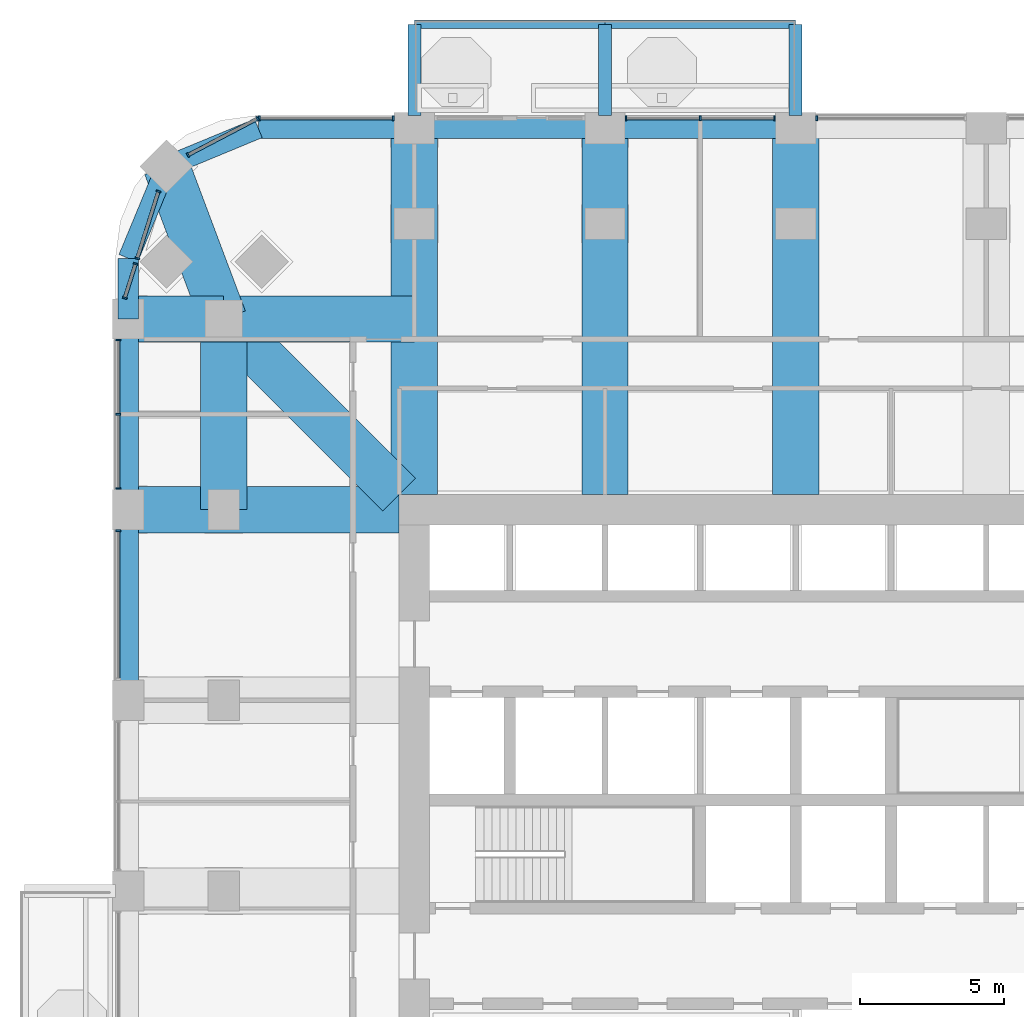
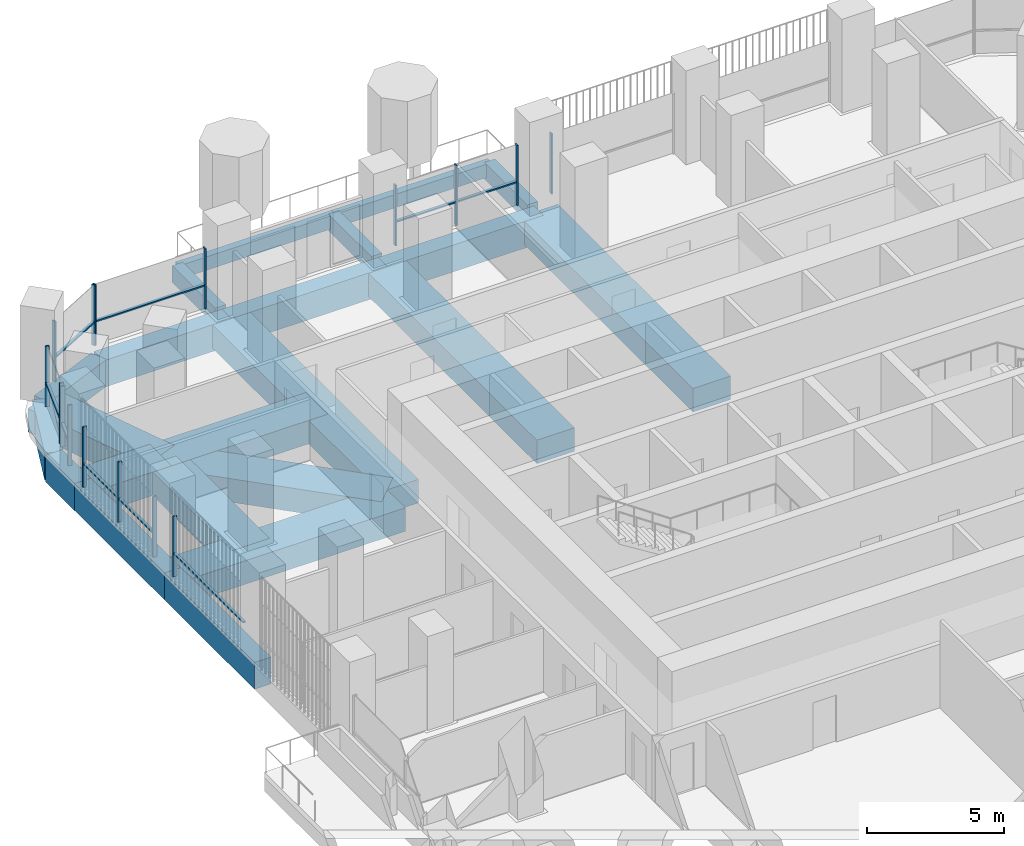
# One storey, part 6 of 21: 25 members, 22 beams, 8 elements without a shape of their own.
"""IFC4 building model written with IfcOpenShell, lengths in metres."""

from ifc_helpers import new_model, si_unit, direction, frame, origin, origin_2d, place, context, subcontext, project, spatial, rectangle, extrude, material, material_profile, profile_set, type_object, element, aggregate, save


model = new_model("IFC4")

# Units and contexts
model_context = context("Model", 3, precision=1e-05, world=origin(), true_north=direction((0.0, 1.0)))
body_context = subcontext(model_context, "Body", "Model", "MODEL_VIEW")
ifc_project = project(units=[si_unit("LENGTHUNIT", "METRE"), si_unit("AREAUNIT", "SQUARE_METRE"), si_unit("VOLUMEUNIT", "CUBIC_METRE"), si_unit("PLANEANGLEUNIT", "RADIAN"), si_unit("MASSUNIT", "GRAM", prefix="KILO")], contexts=[model_context])

# Site, building, storey
site_placement = place(None, origin())
site = spatial("IfcSite", under=ifc_project, at=site_placement, CompositionType="ELEMENT")
building_placement = place(site_placement, origin())
building = spatial("IfcBuilding", under=site, at=building_placement, Name="Cobogo Forest Laboratory Tower", CompositionType="ELEMENT")
storey_placement = place(building_placement, frame((0.0, 0.0, 132.60009765625)))
storey = spatial("IfcBuildingStorey", under=building, at=storey_placement, Name="L30", CompositionType="ELEMENT", Elevation=132.60009765625)

# Beams
ifc_material_1 = material(Name="Concrete HA-40 (C40/50)", Category="concrete")
ifc_material_profile_1 = material_profile(ifc_material_1, rectangle(XDim=0.449951171875, YDim=0.75, at=origin_2d()), Name="RC 450x750")
ifc_profile_set_1 = profile_set([ifc_material_profile_1], Name="Concrete HA-40 (C40/50)")
beam_type_1 = type_object("IfcBeamType", Name="Balcony cantilever beam 450x750", PredefinedType="BEAM", material=ifc_profile_set_1)
for number, where, z_axis, x_axis, name in (
    (1, (13.199951171875, 46.64990234375, -0.625), (0.0, 1.0, 0.0), (-1.0, 0.0, 0.0), "CB1 BAL-N1-C1 L30"),
    (2, (19.800048828125, 46.64990234375, -0.625), (0.0, 1.0, 0.0), (-1.0, 0.0, 0.0), "CB1 BAL-N1-C2 L30"),
    (3, (26.39990234375, 46.64990234375, -0.625), (0.0, 1.0, 0.0), (-1.0, 0.0, 0.0), "CB1 BAL-N1-C3 L30"),
):
    element("IfcBeam", number, at=place(storey_placement, frame(where, z_axis=z_axis, x_axis=x_axis)), inside=storey, type_object=beam_type_1, Name=name, PredefinedType="BEAM", context=body_context, shape_type="SweptSolid", body=[
        extrude(rectangle(XDim=0.449951171875, YDim=0.75, at=origin_2d()), origin(), (0.0, 0.0, 1.0), 3.150146484375),
    ])
ifc_material_profile_2 = material_profile(ifc_material_1, rectangle(XDim=0.300048828125, YDim=0.60009765625, at=origin_2d()), Name="RC 300x600")
ifc_profile_set_2 = profile_set([ifc_material_profile_2], Name="Concrete HA-40 (C40/50)")
beam_type_2 = type_object("IfcBeamType", Name="Balcony edge beam 300x600", PredefinedType="BEAM", material=ifc_profile_set_2)
beam_1_placement = place(storey_placement, frame((13.199951171875, 49.800048828125, -0.550048828125), z_axis=(1.0, 0.0, 0.0), x_axis=(0.0, 1.0, 0.0)))
element("IfcBeam", 4, at=beam_1_placement, inside=storey, type_object=beam_type_2, Name="BB1 BAL-N1-T1 L30", PredefinedType="BEAM", context=body_context, shape_type="SweptSolid", body=[
    extrude(rectangle(XDim=0.300048828125, YDim=0.60009765625, at=origin_2d()), origin(), (0.0, 0.0, 1.0), 6.60009765625),
])
beam_2_placement = place(storey_placement, frame((19.800048828125, 49.800048828125, -0.550048828125), z_axis=(1.0, 0.0, 0.0), x_axis=(0.0, 1.0, 0.0)))
element("IfcBeam", 5, at=beam_2_placement, inside=storey, type_object=beam_type_2, Name="BB1 BAL-N1-T2 L30", PredefinedType="BEAM", context=body_context, shape_type="SweptSolid", body=[
    extrude(rectangle(XDim=0.300048828125, YDim=0.60009765625, at=origin_2d()), origin(), (0.0, 0.0, 1.0), 6.599853515625),
])
ifc_material_2 = material(Name="Concrete HA-50 (C50/60)", Category="concrete")
ifc_material_profile_3 = material_profile(ifc_material_2, rectangle(XDim=1.60009765625, YDim=1.050048828125, at=origin_2d()), Name="RC 1600x1050")
ifc_profile_set_3 = profile_set([ifc_material_profile_3], Name="Concrete HA-50 (C50/60)")
beam_type_3 = type_object("IfcBeamType", Name="Laboratory floor wide beam 1600x1050", PredefinedType="BEAM", material=ifc_profile_set_3)
for number, where, z_axis, x_axis, name in (
    (6, (13.199951171875, 33.52490234375, -0.8251953125), (0.0, 1.0, 0.0), (-1.0, 0.0, 0.0), "RB8 R-3-N L30"),
    (7, (19.800048828125, 33.52490234375, -0.8251953125), (0.0, 1.0, 0.0), (-1.0, 0.0, 0.0), "RB8 R-4-N L30"),
    (8, (26.39990234375, 33.52490234375, -0.8251953125), (0.0, 1.0, 0.0), (-1.0, 0.0, 0.0), "RB8 R-5-N L30"),
):
    element("IfcBeam", number, at=place(storey_placement, frame(where, z_axis=z_axis, x_axis=x_axis)), inside=storey, type_object=beam_type_3, Name=name, PredefinedType="BEAM", context=body_context, shape_type="SweptSolid", body=[
        extrude(rectangle(XDim=1.60009765625, YDim=1.050048828125, at=origin_2d()), origin(), (0.0, 0.0, 1.0), 12.675048828125),
    ])
beam_3_placement = place(storey_placement, frame((12.675048828125, 33.0, -0.8251953125), z_axis=(-1.0, 0.0, 0.0), x_axis=(0.0, -1.0, 0.0)))
element("IfcBeam", 9, at=beam_3_placement, inside=storey, type_object=beam_type_3, Name="RB8 R-F-W L30", PredefinedType="BEAM", context=body_context, shape_type="SweptSolid", body=[
    extrude(rectangle(XDim=1.60009765625, YDim=1.050048828125, at=origin_2d()), origin(), (0.0, 0.0, 1.0), 9.375),
])
beam_4_placement = place(storey_placement, frame((6.60009765625, 39.60009765625, -0.8251953125), z_axis=(0.0, -1.0, 0.0), x_axis=(1.0, 0.0, 0.0)))
element("IfcBeam", 10, at=beam_4_placement, inside=storey, type_object=beam_type_3, Name="RB8 G-NW-XC L30", PredefinedType="BEAM", context=body_context, shape_type="SweptSolid", body=[
    extrude(rectangle(XDim=1.60009765625, YDim=1.050048828125, at=origin_2d()), origin(), (0.0, 0.0, 1.0), 6.60009765625),
])
beam_5_placement = place(storey_placement, frame((3.300048828125, 39.60009765625, -0.8251953125), z_axis=(1.0, 0.0, 0.0), x_axis=(0.0, 1.0, 0.0)))
element("IfcBeam", 11, at=beam_5_placement, inside=storey, type_object=beam_type_3, Name="RB8 G-NW-YF L30", PredefinedType="BEAM", context=body_context, shape_type="SweptSolid", body=[
    extrude(rectangle(XDim=1.60009765625, YDim=1.050048828125, at=origin_2d()), origin(), (0.0, 0.0, 1.0), 3.300048828125),
])
beam_6_placement = place(storey_placement, frame((6.60009765625, 39.60009765625, -0.8251953125), z_axis=(1.0, 0.0, 0.0), x_axis=(0.0, 1.0, 0.0)))
element("IfcBeam", 12, at=beam_6_placement, inside=storey, type_object=beam_type_3, Name="RB8 G-NW-YC L30", PredefinedType="BEAM", context=body_context, shape_type="SweptSolid", body=[
    extrude(rectangle(XDim=1.60009765625, YDim=1.050048828125, at=origin_2d()), origin(), (0.0, 0.0, 1.0), 6.599853515625),
])
beam_7_placement = place(storey_placement, frame((4.617919921875, 44.882080078125, -0.8251953125), z_axis=(0.351346325373, -0.936245565889, 0.0), x_axis=(0.936245565889, 0.351346325373, 0.0)))
element("IfcBeam", 13, at=beam_7_placement, inside=storey, type_object=beam_type_3, Name="RB8 G-NW-D1 L30", PredefinedType="BEAM", context=body_context, shape_type="SweptSolid", body=[
    extrude(rectangle(XDim=1.60009765625, YDim=1.050048828125, at=origin_2d()), origin(), (0.0, 0.0, 1.0), 5.6416015625),
])
beam_8_placement = place(storey_placement, frame((6.60009765625, 39.60009765625, -0.8251953125), z_axis=(0.707092572697, -0.70712098939, 0.0), x_axis=(0.70712098939, 0.707092572697, 0.0)))
element("IfcBeam", 14, at=beam_8_placement, inside=storey, type_object=beam_type_3, Name="RB8 G-NW-D2 L30", PredefinedType="BEAM", context=body_context, shape_type="SweptSolid", body=[
    extrude(rectangle(XDim=1.60009765625, YDim=1.050048828125, at=origin_2d()), origin(), (0.0, 0.0, 1.0), 8.591552734375),
])

# Curtain wall, member
ifc_material_3 = material(Name="Aluminium curtain wall", Category="aluminium")
curtain_wall_type = type_object("IfcCurtainWallType", Name="CW-1 unitised curtain wall, clear glazing, laboratory floors zones A and B", PredefinedType="USERDEFINED", material=ifc_material_3)
curtain_wall_1_placement = place(storey_placement, origin())
curtain_wall_1 = element("IfcCurtainWall", 15, at=curtain_wall_1_placement, inside=storey, type_object=curtain_wall_type, Name="Curtain wall 20 L30", ObjectType="UNITISED CURTAIN WALL", PredefinedType="USERDEFINED")
ifc_material_4 = material(Name="Aluminium mullion", Category="aluminium")
ifc_material_profile_4 = material_profile(ifc_material_4, rectangle(XDim=0.06005859375, YDim=0.159912109375, at=origin_2d()), Name="AL 60x160")
ifc_profile_set_4 = profile_set([ifc_material_profile_4], Name="Aluminium mullion")
member_type_1 = type_object("IfcMemberType", Name="MU-1 aluminium mullion 60x160", PredefinedType="MULLION", material=ifc_profile_set_4)
member_1_placement = place(storey_placement, frame((27.1298828125, 46.550048828125, 0.0), z_axis=(0.0, 0.0, 1.0), x_axis=(-1.0, 0.0, 0.0)))
member_1 = element("IfcMember", 16, at=member_1_placement, type_object=member_type_1, Name="CW-1 mullion 2", PredefinedType="MULLION", context=body_context, shape_type="SweptSolid", body=[
    extrude(rectangle(XDim=0.06005859375, YDim=0.159912109375, at=origin_2d()), origin(), (0.0, 0.0, 1.0), 2.699951171875),
])
aggregate(curtain_wall_1, [member_1])

# Curtain wall, members
curtain_wall_2_placement = place(storey_placement, origin())
curtain_wall_2 = element("IfcCurtainWall", 17, at=curtain_wall_2_placement, inside=storey, type_object=curtain_wall_type, Name="Curtain wall 21 L30", ObjectType="UNITISED CURTAIN WALL", PredefinedType="USERDEFINED")
member_2_placement = place(storey_placement, frame((25.669921875, 46.550048828125, 0.0), z_axis=(0.0, 0.0, 1.0), x_axis=(-1.0, 0.0, 0.0)))
member_2 = element("IfcMember", 18, at=member_2_placement, type_object=member_type_1, Name="CW-1 mullion 1", PredefinedType="MULLION", context=body_context, shape_type="SweptSolid", body=[
    extrude(rectangle(XDim=0.06005859375, YDim=0.159912109375, at=origin_2d()), origin(), (0.0, 0.0, 1.0), 2.699951171875),
])
member_3_placement = place(storey_placement, frame((23.10009765625, 46.550048828125, 0.0), z_axis=(0.0, 0.0, 1.0), x_axis=(-1.0, 0.0, 0.0)))
member_3 = element("IfcMember", 19, at=member_3_placement, type_object=member_type_1, Name="CW-1 mullion 2", PredefinedType="MULLION", context=body_context, shape_type="SweptSolid", body=[
    extrude(rectangle(XDim=0.06005859375, YDim=0.159912109375, at=origin_2d()), origin(), (0.0, 0.0, 1.0), 2.699951171875),
])
member_4_placement = place(storey_placement, frame((20.530029296875, 46.550048828125, 0.0), z_axis=(0.0, 0.0, 1.0), x_axis=(-1.0, 0.0, 0.0)))
member_4 = element("IfcMember", 20, at=member_4_placement, type_object=member_type_1, Name="CW-1 mullion 3", PredefinedType="MULLION", context=body_context, shape_type="SweptSolid", body=[
    extrude(rectangle(XDim=0.06005859375, YDim=0.159912109375, at=origin_2d()), origin(), (0.0, 0.0, 1.0), 2.699951171875),
])

curtain_wall_3_placement = place(storey_placement, origin())
curtain_wall_3 = element("IfcCurtainWall", 21, at=curtain_wall_3_placement, inside=storey, type_object=curtain_wall_type, Name="Curtain wall 23 L30", ObjectType="UNITISED CURTAIN WALL", PredefinedType="USERDEFINED")
member_5_placement = place(storey_placement, frame((12.469970703125, 46.550048828125, 0.0), z_axis=(0.0, 0.0, 1.0), x_axis=(-1.0, 0.0, 0.0)))
member_5 = element("IfcMember", 22, at=member_5_placement, type_object=member_type_1, Name="CW-1 mullion 1", PredefinedType="MULLION", context=body_context, shape_type="SweptSolid", body=[
    extrude(rectangle(XDim=0.06005859375, YDim=0.159912109375, at=origin_2d()), origin(), (0.0, 0.0, 1.0), 2.699951171875),
])
member_6_placement = place(storey_placement, frame((7.830078125, 46.550048828125, 0.0), z_axis=(0.0, 0.0, 1.0), x_axis=(-1.0, 0.0, 0.0)))
member_6 = element("IfcMember", 23, at=member_6_placement, type_object=member_type_1, Name="CW-1 mullion 2", PredefinedType="MULLION", context=body_context, shape_type="SweptSolid", body=[
    extrude(rectangle(XDim=0.06005859375, YDim=0.159912109375, at=origin_2d()), origin(), (0.0, 0.0, 1.0), 2.699951171875),
])

curtain_wall_4_placement = place(storey_placement, origin())
curtain_wall_4 = element("IfcCurtainWall", 24, at=curtain_wall_4_placement, inside=storey, type_object=curtain_wall_type, Name="Curtain wall 24 L30", ObjectType="UNITISED CURTAIN WALL", PredefinedType="USERDEFINED")
member_7_placement = place(storey_placement, frame((7.7734375, 46.5361328125, 0.0), z_axis=(0.0, 0.0, 1.0), x_axis=(-0.885686547075, -0.464283685186, 0.0)))
member_7 = element("IfcMember", 25, at=member_7_placement, type_object=member_type_1, Name="CW-1 mullion 1", PredefinedType="MULLION", context=body_context, shape_type="SweptSolid", body=[
    extrude(rectangle(XDim=0.06005859375, YDim=0.159912109375, at=origin_2d()), origin(), (0.0, 0.0, 1.0), 2.699951171875),
])
member_8_placement = place(storey_placement, frame((5.368408203125, 45.275390625, 0.0), z_axis=(0.0, 0.0, 1.0), x_axis=(-0.885686547075, -0.464283685186, 0.0)))
member_8 = element("IfcMember", 26, at=member_8_placement, type_object=member_type_1, Name="CW-1 mullion 2", PredefinedType="MULLION", context=body_context, shape_type="SweptSolid", body=[
    extrude(rectangle(XDim=0.06005859375, YDim=0.159912109375, at=origin_2d()), origin(), (0.0, 0.0, 1.0), 2.699951171875),
])

curtain_wall_5_placement = place(storey_placement, origin())
curtain_wall_5 = element("IfcCurtainWall", 27, at=curtain_wall_5_placement, inside=storey, type_object=curtain_wall_type, Name="Curtain wall 25 L30", ObjectType="UNITISED CURTAIN WALL", PredefinedType="USERDEFINED")
member_9_placement = place(storey_placement, frame((4.34423828125, 44.01513671875, 0.0), z_axis=(0.0, 0.0, 1.0), x_axis=(-0.301135291996, -0.953581425949, 0.0)))
member_9 = element("IfcMember", 28, at=member_9_placement, type_object=member_type_1, Name="CW-1 mullion 1", PredefinedType="MULLION", context=body_context, shape_type="SweptSolid", body=[
    extrude(rectangle(XDim=0.06005859375, YDim=0.159912109375, at=origin_2d()), origin(), (0.0, 0.0, 1.0), 2.699951171875),
])
member_10_placement = place(storey_placement, frame((3.613037109375, 41.69970703125, 0.0), z_axis=(0.0, 0.0, 1.0), x_axis=(-0.301135291996, -0.953581425949, 0.0)))
member_10 = element("IfcMember", 29, at=member_10_placement, type_object=member_type_1, Name="CW-1 mullion 2", PredefinedType="MULLION", context=body_context, shape_type="SweptSolid", body=[
    extrude(rectangle(XDim=0.06005859375, YDim=0.159912109375, at=origin_2d()), origin(), (0.0, 0.0, 1.0), 2.699951171875),
])

curtain_wall_6_placement = place(storey_placement, origin())
curtain_wall_6 = element("IfcCurtainWall", 30, at=curtain_wall_6_placement, inside=storey, type_object=curtain_wall_type, Name="Curtain wall 26 L30", ObjectType="UNITISED CURTAIN WALL", PredefinedType="USERDEFINED")
member_11_placement = place(storey_placement, frame((3.55224609375, 41.507080078125, 0.0), z_axis=(0.0, 0.0, 1.0), x_axis=(-0.301135356805, -0.953581405483, 0.0)))
member_11 = element("IfcMember", 31, at=member_11_placement, type_object=member_type_1, Name="CW-1 mullion 1", PredefinedType="MULLION", context=body_context, shape_type="SweptSolid", body=[
    extrude(rectangle(XDim=0.06005859375, YDim=0.159912109375, at=origin_2d()), origin(), (0.0, 0.0, 1.0), 2.699951171875),
])
member_12_placement = place(storey_placement, frame((3.18017578125, 40.32861328125, 0.0), z_axis=(0.0, 0.0, 1.0), x_axis=(-0.301135356805, -0.953581405483, 0.0)))
member_12 = element("IfcMember", 32, at=member_12_placement, type_object=member_type_1, Name="CW-1 mullion 2", PredefinedType="MULLION", context=body_context, shape_type="SweptSolid", body=[
    extrude(rectangle(XDim=0.06005859375, YDim=0.159912109375, at=origin_2d()), origin(), (0.0, 0.0, 1.0), 2.699951171875),
])

curtain_wall_7_placement = place(storey_placement, origin())
curtain_wall_7 = element("IfcCurtainWall", 33, at=curtain_wall_7_placement, inside=storey, type_object=curtain_wall_type, Name="Curtain wall 27 L30", ObjectType="UNITISED CURTAIN WALL", PredefinedType="USERDEFINED")
member_13_placement = place(storey_placement, frame((2.949951171875, 38.8701171875, 0.0), z_axis=(0.0, 0.0, 1.0), x_axis=(0.0, -1.0, 0.0)))
member_13 = element("IfcMember", 34, at=member_13_placement, type_object=member_type_1, Name="CW-1 mullion 1", PredefinedType="MULLION", context=body_context, shape_type="SweptSolid", body=[
    extrude(rectangle(XDim=0.06005859375, YDim=0.159912109375, at=origin_2d()), origin(), (0.0, 0.0, 1.0), 2.699951171875),
])
member_14_placement = place(storey_placement, frame((2.949951171875, 36.300048828125, 0.0), z_axis=(0.0, 0.0, 1.0), x_axis=(0.0, -1.0, 0.0)))
member_14 = element("IfcMember", 35, at=member_14_placement, type_object=member_type_1, Name="CW-1 mullion 2", PredefinedType="MULLION", context=body_context, shape_type="SweptSolid", body=[
    extrude(rectangle(XDim=0.06005859375, YDim=0.159912109375, at=origin_2d()), origin(), (0.0, 0.0, 1.0), 2.699951171875),
])
member_15_placement = place(storey_placement, frame((2.949951171875, 33.72998046875, 0.0), z_axis=(0.0, 0.0, 1.0), x_axis=(0.0, -1.0, 0.0)))
member_15 = element("IfcMember", 36, at=member_15_placement, type_object=member_type_1, Name="CW-1 mullion 3", PredefinedType="MULLION", context=body_context, shape_type="SweptSolid", body=[
    extrude(rectangle(XDim=0.06005859375, YDim=0.159912109375, at=origin_2d()), origin(), (0.0, 0.0, 1.0), 2.699951171875),
])

# Curtain wall, member
curtain_wall_8_placement = place(storey_placement, origin())
curtain_wall_8 = element("IfcCurtainWall", 37, at=curtain_wall_8_placement, inside=storey, type_object=curtain_wall_type, Name="Curtain wall 28 L30", ObjectType="UNITISED CURTAIN WALL", PredefinedType="USERDEFINED")
member_16_placement = place(storey_placement, frame((2.949951171875, 32.27001953125, 0.0), z_axis=(0.0, 0.0, 1.0), x_axis=(0.0, -1.0, 0.0)))
member_16 = element("IfcMember", 38, at=member_16_placement, type_object=member_type_1, Name="CW-1 mullion 1", PredefinedType="MULLION", context=body_context, shape_type="SweptSolid", body=[
    extrude(rectangle(XDim=0.06005859375, YDim=0.159912109375, at=origin_2d()), origin(), (0.0, 0.0, 1.0), 2.699951171875),
])

# Beams
ifc_material_profile_5 = material_profile(ifc_material_1, rectangle(XDim=0.699951171875, YDim=1.199951171875, at=origin_2d()), Name="RC 700x1200")
ifc_profile_set_5 = profile_set([ifc_material_profile_5], Name="Concrete HA-40 (C40/50)")
beam_type_4 = type_object("IfcBeamType", Name="Perimeter edge beam 700x1200", PredefinedType="BEAM", material=ifc_profile_set_5)
beam_9_placement = place(storey_placement, frame((13.199951171875, 46.199951171875, -0.900146484375), z_axis=(1.0, 0.0, 0.0), x_axis=(0.0, 1.0, 0.0)))
element("IfcBeam", 39, at=beam_9_placement, inside=storey, type_object=beam_type_4, Name="EB1 E-N1 L30", PredefinedType="BEAM", context=body_context, shape_type="SweptSolid", body=[
    extrude(rectangle(XDim=0.699951171875, YDim=1.199951171875, at=origin_2d()), origin(), (0.0, 0.0, 1.0), 6.60009765625),
])
beam_10_placement = place(storey_placement, frame((19.800048828125, 46.199951171875, -0.900146484375), z_axis=(1.0, 0.0, 0.0), x_axis=(0.0, 1.0, 0.0)))
element("IfcBeam", 40, at=beam_10_placement, inside=storey, type_object=beam_type_4, Name="EB1 E-N2 L30", PredefinedType="BEAM", context=body_context, shape_type="SweptSolid", body=[
    extrude(rectangle(XDim=0.699951171875, YDim=1.199951171875, at=origin_2d()), origin(), (0.0, 0.0, 1.0), 6.599853515625),
])
for number, where, z_axis, x_axis, name in (
    (41, (3.300048828125, 26.39990234375, -0.900146484375), (0.0, 1.0, 0.0), (-1.0, 0.0, 0.0), "EB1 E-W4 L30"),
    (42, (3.300048828125, 33.0, -0.900146484375), (0.0, 1.0, 0.0), (-1.0, 0.0, 0.0), "EB1 E-W5 L30"),
):
    element("IfcBeam", number, at=place(storey_placement, frame(where, z_axis=z_axis, x_axis=x_axis)), inside=storey, type_object=beam_type_4, Name=name, PredefinedType="BEAM", context=body_context, shape_type="SweptSolid", body=[
        extrude(rectangle(XDim=0.699951171875, YDim=1.199951171875, at=origin_2d()), origin(), (0.0, 0.0, 1.0), 6.60009765625),
    ])
beam_11_placement = place(storey_placement, frame((13.199951171875, 46.199951171875, -0.900146484375), z_axis=(-1.0, 0.0, 0.0), x_axis=(0.0, -1.0, 0.0)))
element("IfcBeam", 43, at=beam_11_placement, inside=storey, type_object=beam_type_4, Name="EB1 E-NWN1 L30", PredefinedType="BEAM", context=body_context, shape_type="SweptSolid", body=[
    extrude(rectangle(XDim=0.699951171875, YDim=1.199951171875, at=origin_2d()), origin(), (0.0, 0.0, 1.0), 5.39990234375),
])
beam_12_placement = place(storey_placement, frame((7.800048828125, 46.199951171875, -0.900146484375), z_axis=(-0.923901072997, -0.382631424892, 0.0), x_axis=(0.382631424892, -0.923901072997, 0.0)))
element("IfcBeam", 44, at=beam_12_placement, inside=storey, type_object=beam_type_4, Name="EB1 E-NWN2 L30", PredefinedType="BEAM", context=body_context, shape_type="SweptSolid", body=[
    extrude(rectangle(XDim=0.699951171875, YDim=1.199951171875, at=origin_2d()), origin(), (0.0, 0.0, 1.0), 3.4443359375),
])
beam_13_placement = place(storey_placement, frame((3.300048828125, 39.60009765625, -0.900146484375), z_axis=(0.0, 1.0, 0.0), x_axis=(-1.0, 0.0, 0.0)))
element("IfcBeam", 45, at=beam_13_placement, inside=storey, type_object=beam_type_4, Name="EB1 E-NWW1 L30", PredefinedType="BEAM", context=body_context, shape_type="SweptSolid", body=[
    extrude(rectangle(XDim=0.699951171875, YDim=1.199951171875, at=origin_2d()), origin(), (0.0, 0.0, 1.0), 2.099853515625),
])
beam_14_placement = place(storey_placement, frame((3.300048828125, 41.699951171875, -0.900146484375), z_axis=(0.382631424892, 0.923901072997, 0.0), x_axis=(-0.923901072997, 0.382631424892, 0.0)))
element("IfcBeam", 46, at=beam_14_placement, inside=storey, type_object=beam_type_4, Name="EB1 E-NWW2 L30", PredefinedType="BEAM", context=body_context, shape_type="SweptSolid", body=[
    extrude(rectangle(XDim=0.699951171875, YDim=1.199951171875, at=origin_2d()), origin(), (0.0, 0.0, 1.0), 3.4443359375),
])

# Member
ifc_material_5 = material(Name="Aluminium transom", Category="aluminium")
ifc_material_profile_6 = material_profile(ifc_material_5, rectangle(XDim=0.1201171875, YDim=0.06005859375, at=origin_2d()), Name="AL 60x120")
ifc_profile_set_6 = profile_set([ifc_material_profile_6], Name="Aluminium transom")
member_type_2 = type_object("IfcMemberType", Name="TR-1 aluminium transom 60x120", PredefinedType="USERDEFINED", material=ifc_profile_set_6)
member_17_placement = place(storey_placement, frame((25.639892578125, 46.550048828125, 1.0498046875), z_axis=(-1.0, 0.0, 0.0), x_axis=(0.0, -1.0, 0.0)))
member_17 = element("IfcMember", 47, at=member_17_placement, type_object=member_type_2, Name="CW-1 transom 1.1", ObjectType="TRANSOM", PredefinedType="USERDEFINED", context=body_context, shape_type="SweptSolid", body=[
    extrude(rectangle(XDim=0.1201171875, YDim=0.06005859375, at=origin_2d()), origin(), (0.0, 0.0, 1.0), 2.510009765625),
])

member_18_placement = place(storey_placement, frame((23.070068359375, 46.550048828125, 1.0498046875), z_axis=(-1.0, 0.0, 0.0), x_axis=(0.0, -1.0, 0.0)))
member_18 = element("IfcMember", 48, at=member_18_placement, type_object=member_type_2, Name="CW-1 transom 2.1", ObjectType="TRANSOM", PredefinedType="USERDEFINED", context=body_context, shape_type="SweptSolid", body=[
    extrude(rectangle(XDim=0.1201171875, YDim=0.06005859375, at=origin_2d()), origin(), (0.0, 0.0, 1.0), 2.510009765625),
])

aggregate(curtain_wall_2, [member_2, member_3, member_4, member_17, member_18])

member_19_placement = place(storey_placement, frame((12.43994140625, 46.550048828125, 1.0498046875), z_axis=(-1.0, 0.0, 0.0), x_axis=(0.0, -1.0, 0.0)))
member_19 = element("IfcMember", 49, at=member_19_placement, type_object=member_type_2, Name="CW-1 transom 1.1", ObjectType="TRANSOM", PredefinedType="USERDEFINED", context=body_context, shape_type="SweptSolid", body=[
    extrude(rectangle(XDim=0.1201171875, YDim=0.06005859375, at=origin_2d()), origin(), (0.0, 0.0, 1.0), 4.579833984375),
])

aggregate(curtain_wall_3, [member_5, member_6, member_19])

member_20_placement = place(storey_placement, frame((7.746826171875, 46.522216796875, 1.0498046875), z_axis=(-0.885694740493, -0.464268054753, 0.0), x_axis=(0.464268054753, -0.885694740493, 0.0)))
member_20 = element("IfcMember", 50, at=member_20_placement, type_object=member_type_2, Name="CW-1 transom 1.1", ObjectType="TRANSOM", PredefinedType="USERDEFINED", context=body_context, shape_type="SweptSolid", body=[
    extrude(rectangle(XDim=0.1201171875, YDim=0.06005859375, at=origin_2d()), origin(), (0.0, 0.0, 1.0), 2.655517578125),
])

aggregate(curtain_wall_4, [member_7, member_8, member_20])

member_21_placement = place(storey_placement, frame((4.335205078125, 43.986328125, 1.0498046875), z_axis=(-0.301156039198, -0.953574873859, 0.0), x_axis=(0.953574873859, -0.301156039198, 0.0)))
member_21 = element("IfcMember", 51, at=member_21_placement, type_object=member_type_2, Name="CW-1 transom 1.1", ObjectType="TRANSOM", PredefinedType="USERDEFINED", context=body_context, shape_type="SweptSolid", body=[
    extrude(rectangle(XDim=0.1201171875, YDim=0.06005859375, at=origin_2d()), origin(), (0.0, 0.0, 1.0), 2.367919921875),
])

aggregate(curtain_wall_5, [member_9, member_10, member_21])

member_22_placement = place(storey_placement, frame((3.543212890625, 41.478515625, 1.0498046875), z_axis=(-0.301051874343, -0.953607764731, 0.0), x_axis=(0.953607764731, -0.301051874343, 0.0)))
member_22 = element("IfcMember", 52, at=member_22_placement, type_object=member_type_2, Name="CW-1 transom 1.1", ObjectType="TRANSOM", PredefinedType="USERDEFINED", context=body_context, shape_type="SweptSolid", body=[
    extrude(rectangle(XDim=0.1201171875, YDim=0.06005859375, at=origin_2d()), origin(), (0.0, 0.0, 1.0), 1.17578125),
])

aggregate(curtain_wall_6, [member_11, member_12, member_22])

member_23_placement = place(storey_placement, frame((2.949951171875, 38.840087890625, 1.0498046875), z_axis=(0.0, -1.0, 0.0), x_axis=(1.0, 0.0, 0.0)))
member_23 = element("IfcMember", 53, at=member_23_placement, type_object=member_type_2, Name="CW-1 transom 1.1", ObjectType="TRANSOM", PredefinedType="USERDEFINED", context=body_context, shape_type="SweptSolid", body=[
    extrude(rectangle(XDim=0.1201171875, YDim=0.06005859375, at=origin_2d()), origin(), (0.0, 0.0, 1.0), 2.510009765625),
])

member_24_placement = place(storey_placement, frame((2.949951171875, 36.27001953125, 1.0498046875), z_axis=(0.0, -1.0, 0.0), x_axis=(1.0, 0.0, 0.0)))
member_24 = element("IfcMember", 54, at=member_24_placement, type_object=member_type_2, Name="CW-1 transom 2.1", ObjectType="TRANSOM", PredefinedType="USERDEFINED", context=body_context, shape_type="SweptSolid", body=[
    extrude(rectangle(XDim=0.1201171875, YDim=0.06005859375, at=origin_2d()), origin(), (0.0, 0.0, 1.0), 2.510009765625),
])

aggregate(curtain_wall_7, [member_13, member_14, member_15, member_23, member_24])

member_25_placement = place(storey_placement, frame((2.949951171875, 32.239990234375, 1.0498046875), z_axis=(0.0, -1.0, 0.0), x_axis=(1.0, 0.0, 0.0)))
member_25 = element("IfcMember", 55, at=member_25_placement, type_object=member_type_2, Name="CW-1 transom 1.1", ObjectType="TRANSOM", PredefinedType="USERDEFINED", context=body_context, shape_type="SweptSolid", body=[
    extrude(rectangle(XDim=0.1201171875, YDim=0.06005859375, at=origin_2d()), origin(), (0.0, 0.0, 1.0), 5.080078125),
])

aggregate(curtain_wall_8, [member_16, member_25])

save(model, "model.ifc")
